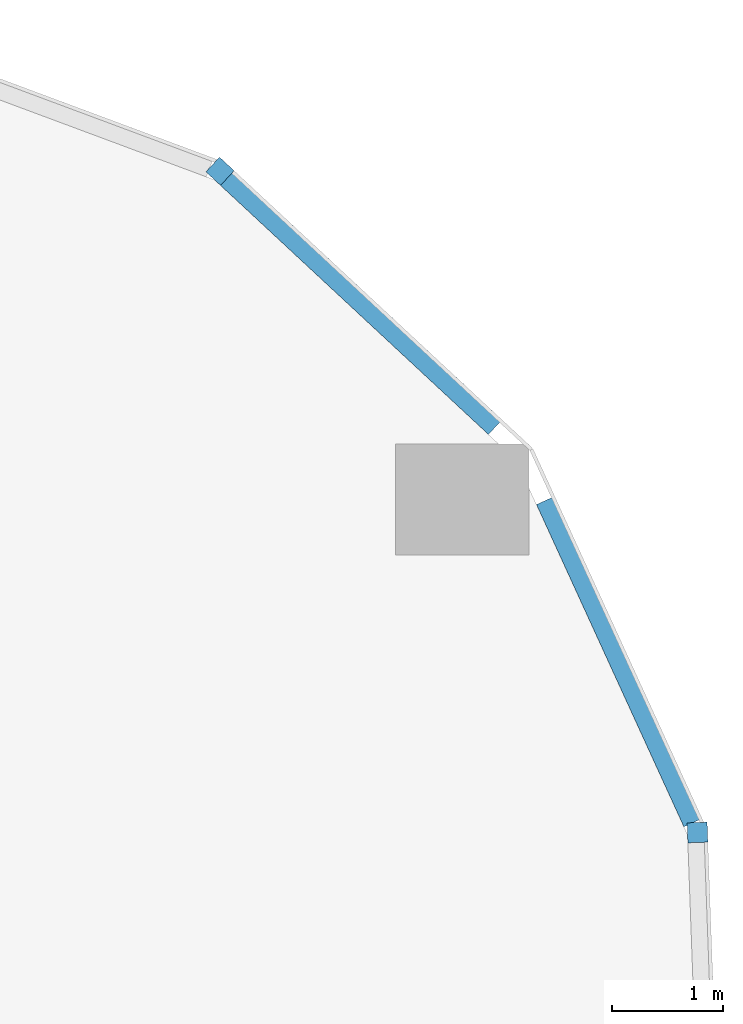
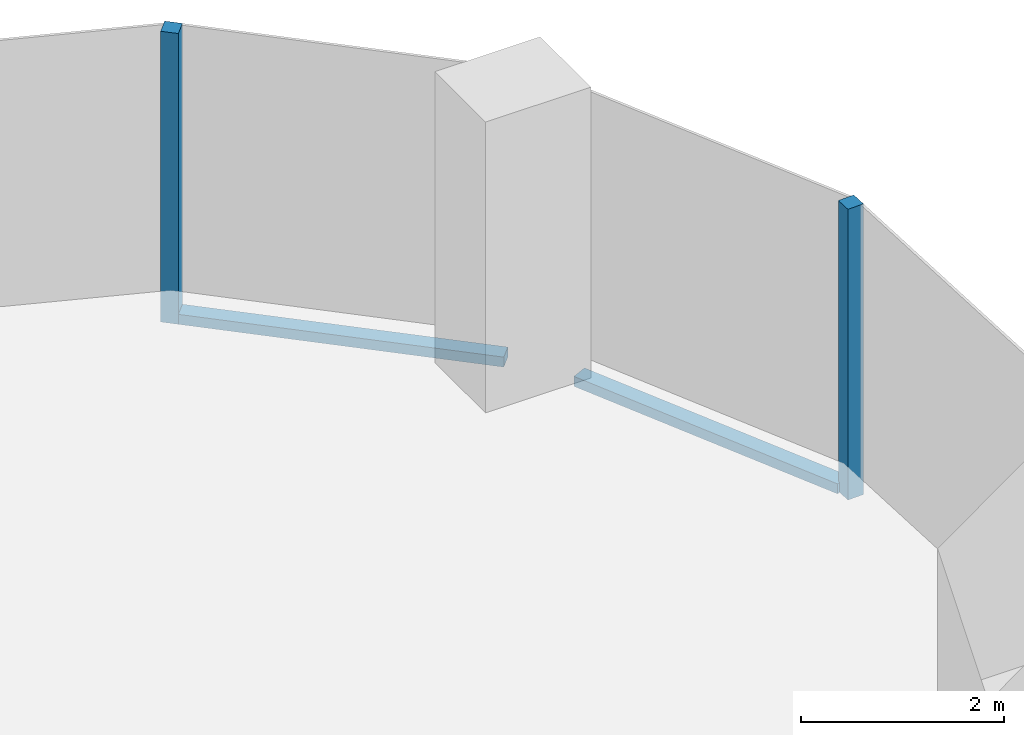
# One storey, part 15 of 34: 4 members, 3 elements without a shape of their own.
"""IFC4 building model written with IfcOpenShell, lengths in metres."""

from ifc_helpers import new_model, si_unit, direction, frame, origin, origin_2d, place, context, subcontext, project, spatial, rectangle, extrude, material, material_profile, profile_set, type_object, element, aggregate, save


model = new_model("IFC4")

# Units and contexts
model_context = context("Model", 3, precision=1e-05, world=origin(), true_north=direction((0.0, 1.0)))
body_context = subcontext(model_context, "Body", "Model", "MODEL_VIEW")
ifc_project = project(units=[si_unit("LENGTHUNIT", "METRE"), si_unit("AREAUNIT", "SQUARE_METRE"), si_unit("VOLUMEUNIT", "CUBIC_METRE"), si_unit("PLANEANGLEUNIT", "RADIAN"), si_unit("MASSUNIT", "GRAM", prefix="KILO")], contexts=[model_context])

# Site, building, storey
site_placement = place(None, origin())
site = spatial("IfcSite", under=ifc_project, at=site_placement, CompositionType="ELEMENT")
building_placement = place(site_placement, origin())
building = spatial("IfcBuilding", under=site, at=building_placement, Name="Orlundy Tower", CompositionType="ELEMENT")
storey_placement = place(building_placement, frame((0.0, 0.0, 130.699951171875)))
storey = spatial("IfcBuildingStorey", under=building, at=storey_placement, Name="L33", CompositionType="ELEMENT", Elevation=130.699951171875)

# Curtain wall, member
ifc_material_1 = material(Name="Aluminium bronze anodised", Category="aluminium")
curtain_wall_type = type_object("IfcCurtainWallType", Name="CW1 wall", PredefinedType="NOTDEFINED", material=ifc_material_1)
curtain_wall_1_placement = place(storey_placement, origin())
curtain_wall_1 = element("IfcCurtainWall", 1, at=curtain_wall_1_placement, inside=storey, type_object=curtain_wall_type, Name="CW1 run 08", PredefinedType="NOTDEFINED")
ifc_material_2 = material(Name="Aluminium bronze anodised", Category="aluminium")
ifc_material_profile_1 = material_profile(ifc_material_2, rectangle(XDim=0.179931640625, YDim=0.179931640625, at=origin_2d()), Name="CW1 corner post 180x180")
ifc_profile_set_1 = profile_set([ifc_material_profile_1], Name="Aluminium bronze anodised")
member_type_1 = type_object("IfcMemberType", Name="CW1 corner post 180x180", PredefinedType="MULLION", material=ifc_profile_set_1)
member_1_placement = place(storey_placement, frame((56.069091796875, 10.564208984375, -0.39990234375), z_axis=(0.0, 0.0, 1.0), x_axis=(0.680875211262, 0.732399444763, 0.0)))
member_1 = element("IfcMember", 2, at=member_1_placement, type_object=member_type_1, Name="CW1 mullion 33", PredefinedType="MULLION", context=body_context, shape_type="SweptSolid", body=[
    extrude(rectangle(XDim=0.179931640625, YDim=0.179931640625, at=origin_2d()), origin(), (0.0, 0.0, 1.0), 3.5),
])

curtain_wall_2_placement = place(storey_placement, origin())
curtain_wall_2 = element("IfcCurtainWall", 3, at=curtain_wall_2_placement, inside=storey, type_object=curtain_wall_type, Name="CW1 run 010", PredefinedType="NOTDEFINED")
member_2_placement = place(storey_placement, frame((60.3671875, 4.612060546875, -0.39990234375), z_axis=(0.0, 0.0, 1.0), x_axis=(0.999336466026, 0.036422900353, 0.0)))
member_2 = element("IfcMember", 4, at=member_2_placement, type_object=member_type_1, Name="CW1 mullion 35", PredefinedType="MULLION", context=body_context, shape_type="SweptSolid", body=[
    extrude(rectangle(XDim=0.179931640625, YDim=0.179931640625, at=origin_2d()), origin(), (0.0, 0.0, 1.0), 3.5),
])
aggregate(curtain_wall_2, [member_2])

# Member
ifc_material_3 = material(Name="Aluminium bronze anodised", Category="aluminium")
ifc_material_profile_2 = material_profile(ifc_material_3, rectangle(XDim=0.179931640625, YDim=0.1201171875, at=origin_2d()), Name="CW1 transom 180x120")
ifc_profile_set_2 = profile_set([ifc_material_profile_2], Name="Aluminium bronze anodised")
member_type_2 = type_object("IfcMemberType", Name="CW1 transom 180x120", PredefinedType="USERDEFINED", material=ifc_profile_set_2)
member_3_placement = place(storey_placement, frame((56.135009765625, 10.5029296875, -0.33984375), z_axis=(0.732402536134, -0.680871885941, 0.0), x_axis=(0.680871885941, 0.732402536134, 0.0)))
member_3 = element("IfcMember", 5, at=member_3_placement, type_object=member_type_2, Name="CW1 transom", ObjectType="TRANSOM", PredefinedType="USERDEFINED", context=body_context, shape_type="SweptSolid", body=[
    extrude(rectangle(XDim=0.179931640625, YDim=0.1201171875, at=origin_2d()), origin(), (0.0, 0.0, 1.0), 3.292724609375),
])

aggregate(curtain_wall_1, [member_1, member_3])

# Curtain wall, member
curtain_wall_3_placement = place(storey_placement, origin())
curtain_wall_3 = element("IfcCurtainWall", 6, at=curtain_wall_3_placement, inside=storey, type_object=curtain_wall_type, Name="CW1 run 09", PredefinedType="NOTDEFINED")
member_4_placement = place(storey_placement, frame((59.0, 7.601318359375, -0.33984375), z_axis=(0.415929789139, -0.909396728885, 0.0), x_axis=(0.909396728885, 0.415929789139, 0.0)))
member_4 = element("IfcMember", 7, at=member_4_placement, type_object=member_type_2, Name="CW1 transom", ObjectType="TRANSOM", PredefinedType="USERDEFINED", context=body_context, shape_type="SweptSolid", body=[
    extrude(rectangle(XDim=0.179931640625, YDim=0.1201171875, at=origin_2d()), origin(), (0.0, 0.0, 1.0), 3.189697265625),
])
aggregate(curtain_wall_3, [member_4])

save(model, "model.ifc")
